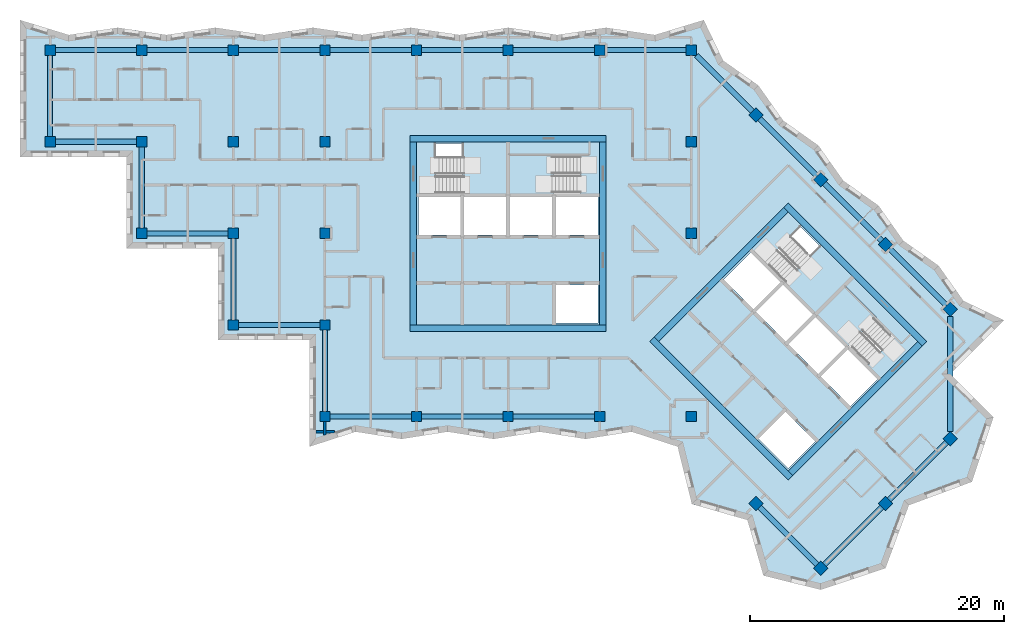
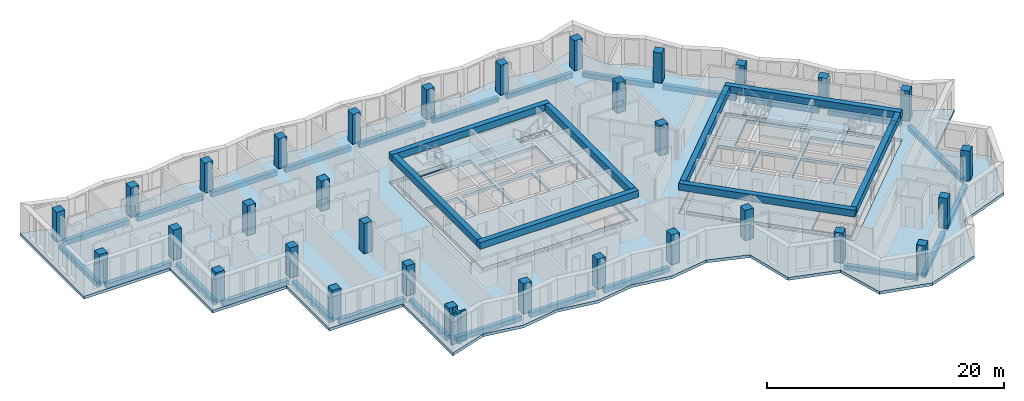
# One storey, part 1 of 13: 33 beams, 32 columns, 7 slabs, 2 walls, 16 openings, 4 elements without a shape of their own.
"""IFC4 building model written with IfcOpenShell, lengths in metres."""

from ifc_helpers import new_model, si_unit, direction, frame, frame_2d, origin, origin_2d, place, context, subcontext, project, spatial, polyline, rectangle, outline, extrude, material, layer, layer_set, material_profile, profile_set, type_object, element, aggregate, save


model = new_model("IFC4")

# Units and contexts
model_context = context("Model", 3, precision=1e-05, world=origin(), true_north=direction((0.0, 1.0)))
body_context = subcontext(model_context, "Body", "Model", "MODEL_VIEW")
ifc_project = project(units=[si_unit("LENGTHUNIT", "METRE"), si_unit("AREAUNIT", "SQUARE_METRE"), si_unit("VOLUMEUNIT", "CUBIC_METRE"), si_unit("PLANEANGLEUNIT", "RADIAN"), si_unit("MASSUNIT", "GRAM", prefix="KILO")], contexts=[model_context])

# Site, building, storey
site_placement = place(None, origin())
site = spatial("IfcSite", under=ifc_project, at=site_placement, CompositionType="ELEMENT")
building_placement = place(site_placement, origin())
building = spatial("IfcBuilding", under=site, at=building_placement, Name="Windrow Commons", CompositionType="ELEMENT")
storey_placement = place(building_placement, frame((0.0, 0.0, 220.2)))
storey = spatial("IfcBuildingStorey", under=building, at=storey_placement, Name="L60", CompositionType="ELEMENT", Elevation=220.2)

# Columns
ifc_material_1 = material(Name="Concrete C50/60", Category="concrete")
ifc_material_profile_1 = material_profile(ifc_material_1, rectangle(XDim=0.8, YDim=0.8, at=origin_2d()))
ifc_profile_set_1 = profile_set([ifc_material_profile_1], Name="Concrete C50/60")
column_type = type_object("IfcColumnType", Name="RC COLUMN 800x800 C50/60", PredefinedType="COLUMN", material=ifc_profile_set_1)
for number, where, z_axis, x_axis, name in (
    (1, (28.8, 64.8, 0.0), (0.0, 0.0, 1.0), (1.0, 0.0, 0.0), "C-Z4-05I"),
    (2, (28.8, 72.0, 0.0), (0.0, 0.0, 1.0), (1.0, 0.0, 0.0), "C-Z4-05J"),
    (3, (36.0, 57.6, 0.0), (0.0, 0.0, 1.0), (1.0, 0.0, 0.0), "C-Z4-06H"),
    (4, (36.0, 64.8, 0.0), (0.0, 0.0, 1.0), (1.0, 0.0, 0.0), "C-Z4-06I"),
    (5, (36.0, 72.0, 0.0), (0.0, 0.0, 1.0), (1.0, 0.0, 0.0), "C-Z4-06J"),
    (6, (43.2, 50.4, 0.0), (0.0, 0.0, 1.0), (1.0, 0.0, 0.0), "C-Z4-07G"),
    (7, (43.2, 57.6, 0.0), (0.0, 0.0, 1.0), (1.0, 0.0, 0.0), "C-Z4-07H"),
    (8, (43.2, 64.8, 0.0), (0.0, 0.0, 1.0), (1.0, 0.0, 0.0), "C-Z4-07I"),
    (9, (43.2, 72.0, 0.0), (0.0, 0.0, 1.0), (1.0, 0.0, 0.0), "C-Z4-07J"),
    (10, (50.4, 43.2, 0.0), (0.0, 0.0, 1.0), (1.0, 0.0, 0.0), "C-Z4-08F"),
    (11, (50.4, 50.4, 0.0), (0.0, 0.0, 1.0), (1.0, 0.0, 0.0), "C-Z4-08G"),
    (12, (50.4, 57.6, 0.0), (0.0, 0.0, 1.0), (1.0, 0.0, 0.0), "C-Z4-08H"),
    (13, (50.4, 64.8, 0.0), (0.0, 0.0, 1.0), (1.0, 0.0, 0.0), "C-Z4-08I"),
    (14, (50.4, 72.0, 0.0), (0.0, 0.0, 1.0), (1.0, 0.0, 0.0), "C-Z4-08J"),
    (15, (57.6, 43.2, 0.0), (0.0, 0.0, 1.0), (1.0, 0.0, 0.0), "C-Z4-09F"),
    (16, (57.6, 72.0, 0.0), (0.0, 0.0, 1.0), (1.0, 0.0, 0.0), "C-Z4-09J"),
    (17, (64.8, 43.2, 0.0), (0.0, 0.0, 1.0), (1.0, 0.0, 0.0), "C-Z4-10F"),
    (18, (64.8, 72.0, 0.0), (0.0, 0.0, 1.0), (1.0, 0.0, 0.0), "C-Z4-10J"),
    (19, (72.0, 43.2, 0.0), (0.0, 0.0, 1.0), (1.0, 0.0, 0.0), "C-Z4-11F"),
    (20, (72.0, 72.0, 0.0), (0.0, 0.0, 1.0), (1.0, 0.0, 0.0), "C-Z4-11J"),
    (21, (79.2, 43.2, 0.0), (0.0, 0.0, 1.0), (1.0, 0.0, 0.0), "C-Z4-12F"),
    (22, (79.2, 57.6, 0.0), (0.0, 0.0, 1.0), (1.0, 0.0, 0.0), "C-Z4-12H"),
    (23, (79.2, 64.8, 0.0), (0.0, 0.0, 1.0), (1.0, 0.0, 0.0), "C-Z4-12I"),
    (24, (79.2, 72.0, 0.0), (0.0, 0.0, 1.0), (1.0, 0.0, 0.0), "C-Z4-12J"),
    (25, (84.2912, 66.9088, 0.0), (0.0, 0.0, 1.0), (0.7071067812, -0.7071067812, 0.0), "C-Z4-P2Q"),
    (26, (89.3823, 61.8177, 0.0), (0.0, 0.0, 1.0), (0.7071067812, -0.7071067812, 0.0), "C-Z4-P3Q"),
    (27, (94.4735, 56.7265, 0.0), (0.0, 0.0, 1.0), (0.7071067812, -0.7071067812, 0.0), "C-Z4-P4Q"),
    (28, (99.5647, 51.6353, 0.0), (0.0, 0.0, 1.0), (0.7071067812, -0.7071067812, 0.0), "C-Z4-P5Q"),
    (29, (84.2912, 36.3618, 0.0), (0.0, 0.0, 1.0), (0.7071067812, -0.7071067812, 0.0), "C-Z4-P5T"),
    (30, (99.5647, 41.453, 0.0), (0.0, 0.0, 1.0), (0.7071067812, -0.7071067812, 0.0), "C-Z4-P6R"),
    (31, (94.4735, 36.3618, 0.0), (0.0, 0.0, 1.0), (0.7071067812, -0.7071067812, 0.0), "C-Z4-P6S"),
    (32, (89.3823, 31.2706, 0.0), (0.0, 0.0, 1.0), (0.7071067812, -0.7071067812, 0.0), "C-Z4-P6T"),
):
    element("IfcColumn", number, at=place(storey_placement, frame(where, z_axis=z_axis, x_axis=x_axis)), inside=storey, type_object=column_type, Name=name, PredefinedType="COLUMN", context=body_context, shape_type="SweptSolid", body=[
        extrude(rectangle(XDim=0.8, YDim=0.8, at=origin_2d()), origin(), (0.0, 0.0, 1.0), 3.1),
    ])

# Beams
ifc_material_2 = material(Name="Concrete C40/50", Category="concrete")
ifc_material_profile_2 = material_profile(ifc_material_2, rectangle(XDim=0.5, YDim=0.7, at=origin_2d()))
ifc_profile_set_2 = profile_set([ifc_material_profile_2], Name="Concrete C40/50")
beam_type_1 = type_object("IfcBeamType", Name="RC COUPLING BEAM 500x700 C40/50", PredefinedType="LINTEL", material=ifc_profile_set_2)
for number, where, z_axis, x_axis, name in (
    (33, (57.1, 50.15, 2.75), (1.0, 0.0, 0.0), (0.0, 1.0, 0.0), "Core A coupling beam outer-S"),
    (34, (57.1, 65.05, 2.75), (1.0, 0.0, 0.0), (0.0, 1.0, 0.0), "Core A coupling beam outer-N"),
):
    element("IfcBeam", number, at=place(storey_placement, frame(where, z_axis=z_axis, x_axis=x_axis)), inside=storey, type_object=beam_type_1, Name=name, PredefinedType="LINTEL", context=body_context, shape_type="SweptSolid", body=[
        extrude(rectangle(XDim=0.5, YDim=0.7, at=origin_2d()), origin(), (0.0, 0.0, 1.0), 15.4),
    ])
for number, where, z_axis, x_axis, name in (
    (35, (57.35, 50.4, 2.75), (0.0, 1.0, 0.0), (-1.0, 0.0, 0.0), "Core A coupling beam outer-W"),
    (36, (72.25, 50.4, 2.75), (0.0, 1.0, 0.0), (-1.0, 0.0, 0.0), "Core A coupling beam outer-E"),
):
    element("IfcBeam", number, at=place(storey_placement, frame(where, z_axis=z_axis, x_axis=x_axis)), inside=storey, type_object=beam_type_1, Name=name, PredefinedType="LINTEL", context=body_context, shape_type="SweptSolid", body=[
        extrude(rectangle(XDim=0.5, YDim=0.7, at=origin_2d()), origin(), (0.0, 0.0, 1.0), 14.4),
    ])
for number, where, z_axis, x_axis, name in (
    (37, (76.1241, 49.2665, 2.75), (0.7071067812, -0.7071067812, 0.0), (0.7071067812, 0.7071067812, 0.0), "Core B coupling beam outer-S"),
    (38, (86.66, 59.8024, 2.75), (0.7071067812, -0.7071067812, 0.0), (0.7071067812, 0.7071067812, 0.0), "Core B coupling beam outer-N"),
):
    element("IfcBeam", number, at=place(storey_placement, frame(where, z_axis=z_axis, x_axis=x_axis)), inside=storey, type_object=beam_type_1, Name=name, PredefinedType="LINTEL", context=body_context, shape_type="SweptSolid", body=[
        extrude(rectangle(XDim=0.5, YDim=0.7, at=origin_2d()), origin(), (0.0, 0.0, 1.0), 15.3999),
    ])
for number, where, z_axis, x_axis, name in (
    (39, (76.4776, 49.2665, 2.75), (0.7071067812, 0.7071067812, 0.0), (-0.7071067812, 0.7071067812, 0.0), "Core B coupling beam outer-W"),
    (40, (87.0135, 38.7306, 2.75), (0.7071067812, 0.7071067812, 0.0), (-0.7071067812, 0.7071067812, 0.0), "Core B coupling beam outer-E"),
):
    element("IfcBeam", number, at=place(storey_placement, frame(where, z_axis=z_axis, x_axis=x_axis)), inside=storey, type_object=beam_type_1, Name=name, PredefinedType="LINTEL", context=body_context, shape_type="SweptSolid", body=[
        extrude(rectangle(XDim=0.5, YDim=0.7, at=origin_2d()), origin(), (0.0, 0.0, 1.0), 14.4001),
    ])
ifc_material_3 = material(Name="Concrete C40/50", Category="concrete")
ifc_material_profile_3 = material_profile(ifc_material_3, rectangle(XDim=0.4, YDim=0.5, at=origin_2d()))
ifc_profile_set_3 = profile_set([ifc_material_profile_3], Name="Concrete C40/50")
beam_type_2 = type_object("IfcBeamType", Name="RC EDGE BEAM 400x500 C40/50", PredefinedType="SPANDREL", material=ifc_profile_set_3)
for number, where, z_axis, x_axis, name in (
    (41, (57.2, 43.2, -0.55), (-1.0, 0.0, 0.0), (0.0, -1.0, 0.0), "Edge beam L60 001"),
    (42, (50.4, 43.6, -0.55), (0.0, 1.0, 0.0), (-1.0, 0.0, 0.0), "Edge beam L60 002"),
    (43, (50.0, 50.4, -0.55), (-1.0, 0.0, 0.0), (0.0, -1.0, 0.0), "Edge beam L60 003"),
    (44, (43.2, 50.8, -0.55), (0.0, 1.0, 0.0), (-1.0, 0.0, 0.0), "Edge beam L60 004"),
    (45, (42.8, 57.6, -0.55), (-1.0, 0.0, 0.0), (0.0, -1.0, 0.0), "Edge beam L60 005"),
    (46, (36.0, 58.0, -0.55), (0.0, 1.0, 0.0), (-1.0, 0.0, 0.0), "Edge beam L60 006"),
    (47, (35.6, 64.8, -0.55), (-1.0, 0.0, 0.0), (0.0, -1.0, 0.0), "Edge beam L60 007"),
    (48, (28.8, 65.2, -0.55), (0.0, 1.0, 0.0), (-1.0, 0.0, 0.0), "Edge beam L60 008"),
    (49, (29.2, 72.0, -0.55), (1.0, 0.0, 0.0), (0.0, 1.0, 0.0), "Edge beam L60 009"),
    (50, (36.4, 72.0, -0.55), (1.0, 0.0, 0.0), (0.0, 1.0, 0.0), "Edge beam L60 010"),
    (51, (43.6, 72.0, -0.55), (1.0, 0.0, 0.0), (0.0, 1.0, 0.0), "Edge beam L60 011"),
    (52, (50.8, 72.0, -0.55), (1.0, 0.0, 0.0), (0.0, 1.0, 0.0), "Edge beam L60 012"),
    (53, (58.0, 72.0, -0.55), (1.0, 0.0, 0.0), (0.0, 1.0, 0.0), "Edge beam L60 013"),
    (54, (65.2, 72.0, -0.55), (1.0, 0.0, 0.0), (0.0, 1.0, 0.0), "Edge beam L60 014"),
    (55, (72.4, 72.0, -0.55), (1.0, 0.0, 0.0), (0.0, 1.0, 0.0), "Edge beam L60 015"),
):
    element("IfcBeam", number, at=place(storey_placement, frame(where, z_axis=z_axis, x_axis=x_axis)), inside=storey, type_object=beam_type_2, Name=name, PredefinedType="SPANDREL", context=body_context, shape_type="SweptSolid", body=[
        extrude(rectangle(XDim=0.4, YDim=0.5, at=origin_2d()), origin(), (0.0, 0.0, 1.0), 6.4),
    ])
beam_1_placement = place(storey_placement, frame((79.6, 71.6, -0.55), z_axis=(0.7071067812, -0.7071067812, 0.0), x_axis=(0.7071067812, 0.7071067812, 0.0)))
element("IfcBeam", 56, at=beam_1_placement, inside=storey, type_object=beam_type_2, Name="Edge beam L60 016", PredefinedType="SPANDREL", context=body_context, shape_type="SweptSolid", body=[
    extrude(rectangle(XDim=0.4, YDim=0.5, at=origin_2d()), origin(), (0.0, 0.0, 1.0), 6.2344),
])
beam_2_placement = place(storey_placement, frame((84.574, 66.626, -0.55), z_axis=(0.7071067812, -0.7071067812, 0.0), x_axis=(0.7071067812, 0.7071067812, 0.0)))
element("IfcBeam", 57, at=beam_2_placement, inside=storey, type_object=beam_type_2, Name="Edge beam L60 017", PredefinedType="SPANDREL", context=body_context, shape_type="SweptSolid", body=[
    extrude(rectangle(XDim=0.4, YDim=0.5, at=origin_2d()), origin(), (0.0, 0.0, 1.0), 6.4),
])
for number, where, z_axis, x_axis, name in (
    (58, (89.6651, 61.5349, -0.55), (0.7071067812, -0.7071067812, 0.0), (0.7071067812, 0.7071067812, 0.0), "Edge beam L60 018"),
    (59, (94.7563, 56.4437, -0.55), (0.7071067812, -0.7071067812, 0.0), (0.7071067812, 0.7071067812, 0.0), "Edge beam L60 019"),
):
    element("IfcBeam", number, at=place(storey_placement, frame(where, z_axis=z_axis, x_axis=x_axis)), inside=storey, type_object=beam_type_2, Name=name, PredefinedType="SPANDREL", context=body_context, shape_type="SweptSolid", body=[
        extrude(rectangle(XDim=0.4, YDim=0.5, at=origin_2d()), origin(), (0.0, 0.0, 1.0), 6.4002),
    ])
beam_3_placement = place(storey_placement, frame((99.5647, 51.0696, -0.55), z_axis=(0.0, -1.0, 0.0), x_axis=(1.0, 0.0, 0.0)))
element("IfcBeam", 60, at=beam_3_placement, inside=storey, type_object=beam_type_2, Name="Edge beam L60 020", PredefinedType="SPANDREL", context=body_context, shape_type="SweptSolid", body=[
    extrude(rectangle(XDim=0.4, YDim=0.5, at=origin_2d()), origin(), (0.0, 0.0, 1.0), 9.0509),
])
for number, where, z_axis, x_axis, name in (
    (61, (99.2819, 41.1702, -0.55), (-0.7071067812, -0.7071067812, 0.0), (0.7071067812, -0.7071067812, 0.0), "Edge beam L60 021"),
    (62, (94.1907, 36.079, -0.55), (-0.7071067812, -0.7071067812, 0.0), (0.7071067812, -0.7071067812, 0.0), "Edge beam L60 022"),
):
    element("IfcBeam", number, at=place(storey_placement, frame(where, z_axis=z_axis, x_axis=x_axis)), inside=storey, type_object=beam_type_2, Name=name, PredefinedType="SPANDREL", context=body_context, shape_type="SweptSolid", body=[
        extrude(rectangle(XDim=0.4, YDim=0.5, at=origin_2d()), origin(), (0.0, 0.0, 1.0), 6.4002),
    ])
beam_4_placement = place(storey_placement, frame((89.0995, 31.5534, -0.55), z_axis=(-0.7070989688, 0.7071145935, 0.0), x_axis=(-0.7071145935, -0.7070989688, 0.0)))
element("IfcBeam", 63, at=beam_4_placement, inside=storey, type_object=beam_type_2, Name="Edge beam L60 023", PredefinedType="SPANDREL", context=body_context, shape_type="SweptSolid", body=[
    extrude(rectangle(XDim=0.4, YDim=0.5, at=origin_2d()), origin(), (0.0, 0.0, 1.0), 6.4001),
])
for number, where, z_axis, x_axis, name in (
    (64, (71.6, 43.2, -0.55), (-1.0, 0.0, 0.0), (0.0, -1.0, 0.0), "Edge beam L60 024"),
    (65, (64.4, 43.2, -0.55), (-1.0, 0.0, 0.0), (0.0, -1.0, 0.0), "Edge beam L60 025"),
):
    element("IfcBeam", number, at=place(storey_placement, frame(where, z_axis=z_axis, x_axis=x_axis)), inside=storey, type_object=beam_type_2, Name=name, PredefinedType="SPANDREL", context=body_context, shape_type="SweptSolid", body=[
        extrude(rectangle(XDim=0.4, YDim=0.5, at=origin_2d()), origin(), (0.0, 0.0, 1.0), 6.4),
    ])

# Slab, openings
ifc_material_4 = material(Name="Concrete C40/50", Category="concrete")
ifc_layer_1 = layer(ifc_material_4, 0.3)
ifc_layer_set_1 = layer_set([ifc_layer_1], Name="CORE FLOOR SLAB 300 C40/50")
slab_type_1 = type_object("IfcSlabType", Name="CORE FLOOR SLAB 300 C40/50", PredefinedType="FLOOR", material=ifc_layer_set_1)
placement_1 = place(storey_placement, frame((0.0, 0.0, -0.3)))
slab_1 = element("IfcSlab", 66, at=placement_1, inside=storey, type_object=slab_type_1, Name="S-L60-core-A", PredefinedType="FLOOR", context=body_context, shape_type="SweptSolid", body=[
    extrude(outline(polyline([(57.6, 50.4), (72.0, 50.4), (72.0, 64.8), (57.6, 64.8), (57.6, 50.4)]), holes=[polyline([(68.55, 50.55), (71.85, 50.55), (71.85, 53.55), (68.55, 53.55), (68.55, 50.55)]), polyline([(57.75, 57.45), (61.05, 57.45), (61.05, 60.45), (57.75, 60.45), (57.75, 57.45)]), polyline([(61.35, 57.45), (64.65, 57.45), (64.65, 60.45), (61.35, 60.45), (61.35, 57.45)]), polyline([(64.95, 57.45), (68.25, 57.45), (68.25, 60.45), (64.95, 60.45), (64.95, 57.45)]), polyline([(68.55, 57.45), (71.85, 57.45), (71.85, 60.45), (68.55, 60.45), (68.55, 57.45)]), polyline([(59.1, 60.75), (64.65, 60.75), (64.65, 64.65), (59.1, 64.65), (59.1, 60.75)]), polyline([(64.95, 60.75), (70.5, 60.75), (70.5, 63.705), (64.95, 63.705), (64.95, 60.75)])]), origin(), (0.0, 0.0, 1.0), 0.3),
])
opening_1_placement = place(placement_1, origin())
element("IfcOpeningElement", 67, at=opening_1_placement, cuts=slab_1, Name="Slab opening S-L60-core-A 1", PredefinedType="OPENING", context=body_context, shape_type="SweptSolid", body=[
    extrude(outline(polyline([(68.555, 50.555), (68.555, 53.545), (71.845, 53.545), (71.845, 50.555), (68.555, 50.555)])), origin(), (0.0, 0.0, 1.0), 0.3),
])
opening_2_placement = place(placement_1, origin())
element("IfcOpeningElement", 68, at=opening_2_placement, cuts=slab_1, Name="Slab opening S-L60-core-A 2", PredefinedType="OPENING", context=body_context, shape_type="SweptSolid", body=[
    extrude(outline(polyline([(57.755, 57.455), (57.755, 60.445), (61.045, 60.445), (61.045, 57.455), (57.755, 57.455)])), origin(), (0.0, 0.0, 1.0), 0.3),
])
opening_3_placement = place(placement_1, origin())
element("IfcOpeningElement", 69, at=opening_3_placement, cuts=slab_1, Name="Slab opening S-L60-core-A 3", PredefinedType="OPENING", context=body_context, shape_type="SweptSolid", body=[
    extrude(outline(polyline([(61.355, 57.455), (61.355, 60.445), (64.645, 60.445), (64.645, 57.455), (61.355, 57.455)])), origin(), (0.0, 0.0, 1.0), 0.3),
])
opening_4_placement = place(placement_1, origin())
element("IfcOpeningElement", 70, at=opening_4_placement, cuts=slab_1, Name="Slab opening S-L60-core-A 4", PredefinedType="OPENING", context=body_context, shape_type="SweptSolid", body=[
    extrude(outline(polyline([(64.955, 57.455), (64.955, 60.445), (68.245, 60.445), (68.245, 57.455), (64.955, 57.455)])), origin(), (0.0, 0.0, 1.0), 0.3),
])
opening_5_placement = place(placement_1, origin())
element("IfcOpeningElement", 71, at=opening_5_placement, cuts=slab_1, Name="Slab opening S-L60-core-A 5", PredefinedType="OPENING", context=body_context, shape_type="SweptSolid", body=[
    extrude(outline(polyline([(68.555, 57.455), (68.555, 60.445), (71.845, 60.445), (71.845, 57.455), (68.555, 57.455)])), origin(), (0.0, 0.0, 1.0), 0.3),
])
opening_6_placement = place(placement_1, origin())
element("IfcOpeningElement", 72, at=opening_6_placement, cuts=slab_1, Name="Slab opening S-L60-core-A 6", PredefinedType="OPENING", context=body_context, shape_type="SweptSolid", body=[
    extrude(outline(polyline([(59.105, 60.755), (59.105, 64.645), (64.645, 64.645), (64.645, 60.755), (59.105, 60.755)])), origin(), (0.0, 0.0, 1.0), 0.3),
])
opening_7_placement = place(placement_1, origin())
element("IfcOpeningElement", 73, at=opening_7_placement, cuts=slab_1, Name="Slab opening S-L60-core-A 7", PredefinedType="OPENING", context=body_context, shape_type="SweptSolid", body=[
    extrude(outline(polyline([(64.955, 60.755), (64.955, 63.7), (70.495, 63.7), (70.495, 60.755), (64.955, 60.755)])), origin(), (0.0, 0.0, 1.0), 0.3),
])

slab_2 = element("IfcSlab", 74, at=placement_1, inside=storey, type_object=slab_type_1, Name="S-L60-core-B", PredefinedType="FLOOR", context=body_context, shape_type="SweptSolid", body=[
    extrude(outline(polyline([(76.6544, 49.0897), (86.8368, 38.9074), (97.0191, 49.0897), (86.8368, 59.2721), (76.6544, 49.0897)]), holes=[polyline([(84.5033, 41.453), (86.8368, 39.1195), (88.9581, 41.2409), (86.6246, 43.5743), (84.5033, 41.453)]), polyline([(81.7456, 53.9688), (84.079, 51.6353), (86.2004, 53.7566), (83.8669, 56.0901), (81.7456, 53.9688)]), polyline([(84.2912, 51.4232), (86.6246, 49.0897), (88.7459, 51.2111), (86.4125, 53.5445), (84.2912, 51.4232)]), polyline([(86.8368, 48.8776), (89.1702, 46.5442), (91.2915, 48.6655), (88.9581, 50.9989), (86.8368, 48.8776)]), polyline([(89.3823, 46.332), (91.7158, 43.9986), (93.8371, 46.1199), (91.5037, 48.4533), (89.3823, 46.332)]), polyline([(85.0336, 55.3476), (88.9581, 51.4232), (91.7158, 54.1809), (87.7913, 58.1054), (85.0336, 55.3476)]), polyline([(89.1702, 51.2111), (93.0946, 47.2866), (95.1841, 49.3761), (91.2597, 53.3006), (89.1702, 51.2111)])]), origin(), (0.0, 0.0, 1.0), 0.3),
])
opening_8_placement = place(placement_1, origin())
element("IfcOpeningElement", 75, at=opening_8_placement, cuts=slab_2, Name="Slab opening S-L60-core-B 1", PredefinedType="OPENING", context=body_context, shape_type="SweptSolid", body=[
    extrude(outline(polyline([(84.5104, 41.453), (86.6246, 43.5672), (88.951, 41.2409), (86.8368, 39.1266), (84.5104, 41.453)])), origin(), (0.0, 0.0, 1.0), 0.3),
])
opening_9_placement = place(placement_1, origin())
element("IfcOpeningElement", 76, at=opening_9_placement, cuts=slab_2, Name="Slab opening S-L60-core-B 2", PredefinedType="OPENING", context=body_context, shape_type="SweptSolid", body=[
    extrude(outline(polyline([(81.7527, 53.9688), (83.8669, 56.083), (86.1933, 53.7566), (84.079, 51.6424), (81.7527, 53.9688)])), origin(), (0.0, 0.0, 1.0), 0.3),
])
opening_10_placement = place(placement_1, origin())
element("IfcOpeningElement", 77, at=opening_10_placement, cuts=slab_2, Name="Slab opening S-L60-core-B 3", PredefinedType="OPENING", context=body_context, shape_type="SweptSolid", body=[
    extrude(outline(polyline([(84.2983, 51.4232), (86.4125, 53.5374), (88.7388, 51.2111), (86.6246, 49.0968), (84.2983, 51.4232)])), origin(), (0.0, 0.0, 1.0), 0.3),
])
opening_11_placement = place(placement_1, origin())
element("IfcOpeningElement", 78, at=opening_11_placement, cuts=slab_2, Name="Slab opening S-L60-core-B 4", PredefinedType="OPENING", context=body_context, shape_type="SweptSolid", body=[
    extrude(outline(polyline([(86.8439, 48.8776), (88.9581, 50.9918), (91.2844, 48.6655), (89.1702, 46.5513), (86.8439, 48.8776)])), origin(), (0.0, 0.0, 1.0), 0.3),
])
opening_12_placement = place(placement_1, origin())
element("IfcOpeningElement", 79, at=opening_12_placement, cuts=slab_2, Name="Slab opening S-L60-core-B 5", PredefinedType="OPENING", context=body_context, shape_type="SweptSolid", body=[
    extrude(outline(polyline([(89.3894, 46.332), (91.5037, 48.4462), (93.83, 46.1199), (91.7158, 44.0057), (89.3894, 46.332)])), origin(), (0.0, 0.0, 1.0), 0.3),
])
opening_13_placement = place(placement_1, origin())
element("IfcOpeningElement", 80, at=opening_13_placement, cuts=slab_2, Name="Slab opening S-L60-core-B 6", PredefinedType="OPENING", context=body_context, shape_type="SweptSolid", body=[
    extrude(outline(polyline([(85.0407, 55.3476), (87.7913, 58.0983), (91.7087, 54.1809), (88.9581, 51.4303), (85.0407, 55.3476)])), origin(), (0.0, 0.0, 1.0), 0.3),
])
opening_14_placement = place(placement_1, origin())
element("IfcOpeningElement", 81, at=opening_14_placement, cuts=slab_2, Name="Slab opening S-L60-core-B 7", PredefinedType="OPENING", context=body_context, shape_type="SweptSolid", body=[
    extrude(outline(polyline([(89.1773, 51.2111), (91.2597, 53.2935), (95.177, 49.3761), (93.0946, 47.2937), (89.1773, 51.2111)])), origin(), (0.0, 0.0, 1.0), 0.3),
])

# Stair, slab
ifc_material_5 = material(Name="Concrete C40/50", Category="concrete")
stair_type = type_object("IfcStairType", Name="Core stair", PredefinedType="HALF_TURN_STAIR", material=ifc_material_5)
placement_2 = place(storey_placement, origin())
stair_1 = element("IfcStair", 82, at=placement_2, inside=storey, type_object=stair_type, Name="L60 Exit stair A1 core A", PredefinedType="HALF_TURN_STAIR")
ifc_material_6 = material(Name="Concrete C40/50", Category="concrete")
ifc_layer_2 = layer(ifc_material_6, 0.2)
ifc_layer_set_2 = layer_set([ifc_layer_2], Name="Core stair landing")
slab_type_2 = type_object("IfcSlabType", Name="Core stair landing", PredefinedType="LANDING", material=ifc_layer_set_2)
placement_3 = place(storey_placement, frame((0.0, 0.0, 1.5)))
slab_3 = element("IfcSlab", 83, at=placement_3, type_object=slab_type_2, Name="ST-A1 landing 1", PredefinedType="LANDING", context=body_context, shape_type="SweptSolid", body=[
    extrude(outline(polyline([(61.22, 60.5), (64.8, 60.5), (64.8, 64.9), (61.22, 64.9), (61.22, 60.5)])), origin(), (0.0, 0.0, 1.0), 0.2),
])
aggregate(stair_1, [slab_3])

stair_2 = element("IfcStair", 84, at=placement_2, inside=storey, type_object=stair_type, Name="L60 Exit stair A2 core A", PredefinedType="HALF_TURN_STAIR")
slab_4 = element("IfcSlab", 85, at=placement_3, type_object=slab_type_2, Name="ST-A2 landing 1", PredefinedType="LANDING", context=body_context, shape_type="SweptSolid", body=[
    extrude(outline(polyline([(64.8, 60.5), (68.38, 60.5), (68.38, 63.855), (64.8, 63.855), (64.8, 60.5)])), origin(), (0.0, 0.0, 1.0), 0.2),
])
aggregate(stair_2, [slab_4])

stair_3 = element("IfcStair", 86, at=placement_2, inside=storey, type_object=stair_type, Name="L60 Exit stair B1 core B", PredefinedType="HALF_TURN_STAIR")
slab_5 = element("IfcSlab", 87, at=placement_3, type_object=slab_type_2, Name="ST-B1 landing 1", PredefinedType="LANDING", context=body_context, shape_type="SweptSolid", body=[
    extrude(outline(polyline([(86.3559, 53.6718), (88.8874, 51.1403), (91.9986, 54.2516), (89.4672, 56.7831), (86.3559, 53.6718)])), origin(), (0.0, 0.0, 1.0), 0.2),
])
aggregate(stair_3, [slab_5])

stair_4 = element("IfcStair", 88, at=placement_2, inside=storey, type_object=stair_type, Name="L60 Exit stair B2 core B", PredefinedType="HALF_TURN_STAIR")
slab_6 = element("IfcSlab", 89, at=placement_3, type_object=slab_type_2, Name="ST-B2 landing 1", PredefinedType="LANDING", context=body_context, shape_type="SweptSolid", body=[
    extrude(outline(polyline([(88.8874, 51.1403), (91.4188, 48.6089), (93.7911, 50.9812), (91.2597, 53.5127), (88.8874, 51.1403)])), origin(), (0.0, 0.0, 1.0), 0.2),
])
aggregate(stair_4, [slab_6])

# Slab, openings
ifc_material_7 = material(Name="Concrete C40/50", Category="concrete")
ifc_layer_3 = layer(ifc_material_7, 0.3)
ifc_layer_set_3 = layer_set([ifc_layer_3], Name="FLOOR SLAB 300 C40/50")
slab_type_3 = type_object("IfcSlabType", Name="FLOOR SLAB 300 C40/50", PredefinedType="FLOOR", material=ifc_layer_set_3)
slab_7 = element("IfcSlab", 90, at=placement_1, inside=storey, type_object=slab_type_3, Name="S-L60-floor", PredefinedType="FLOOR", context=body_context, shape_type="SweptSolid", body=[
    extrude(outline(polyline([(84.8716, 30.6901), (89.3823, 29.5736), (94.4735, 31.2706), (96.312, 36.2204), (101.2617, 38.0588), (102.9588, 43.15), (99.5647, 46.5442), (103.7875, 50.767), (100.5983, 52.2988), (98.6423, 55.0638), (95.8773, 57.0198), (93.9213, 59.7848), (91.1563, 61.7408), (89.2003, 64.5057), (86.4353, 66.4618), (84.4793, 69.2267), (81.7143, 71.1828), (80.1826, 74.372), (76.3429, 73.2), (72.5033, 73.772), (68.6637, 73.2), (64.8241, 73.772), (60.9845, 73.2), (57.1449, 73.772), (53.3053, 73.2), (49.4657, 73.772), (45.6261, 73.2), (41.7864, 73.772), (37.9468, 73.2), (34.1072, 73.772), (30.2676, 73.2), (26.428, 74.372), (26.428, 63.6), (34.8, 63.6), (34.8, 56.4), (42.0, 56.4), (42.0, 49.2), (49.2, 49.2), (49.2, 40.828), (52.816, 42.0), (56.432, 41.428), (60.048, 42.0), (63.6639, 41.428), (67.2799, 42.0), (70.8959, 41.428), (74.5119, 42.0), (78.1279, 40.828), (79.2444, 36.3173), (83.6137, 35.0594), (84.8716, 30.6901)]), holes=[polyline([(75.9473, 49.0897), (86.8368, 59.9792), (97.7262, 49.0897), (86.8368, 38.2003), (75.9473, 49.0897)]), polyline([(57.1, 49.9), (57.1, 65.3), (72.5, 65.3), (72.5, 49.9), (57.1, 49.9)])]), origin(), (0.0, 0.0, 1.0), 0.3),
])
opening_15_placement = place(placement_1, origin())
element("IfcOpeningElement", 91, at=opening_15_placement, cuts=slab_7, Name="Slab opening S-L60-floor 1", PredefinedType="OPENING", context=body_context, shape_type="SweptSolid", body=[
    extrude(outline(polyline([(75.9544, 49.0897), (86.8368, 59.9721), (97.7191, 49.0897), (86.8368, 38.2074), (75.9544, 49.0897)])), origin(), (0.0, 0.0, 1.0), 0.3),
])
opening_16_placement = place(placement_1, origin())
element("IfcOpeningElement", 92, at=opening_16_placement, cuts=slab_7, Name="Slab opening S-L60-floor 2", PredefinedType="OPENING", context=body_context, shape_type="SweptSolid", body=[
    extrude(outline(polyline([(57.105, 49.905), (57.105, 65.295), (72.495, 65.295), (72.495, 49.905), (57.105, 49.905)])), origin(), (0.0, 0.0, 1.0), 0.3),
])

# Walls
ifc_material_8 = material(Name="Blockwork partition", Category="masonry")
ifc_layer_4 = layer(ifc_material_8, 0.2)
ifc_layer_set_4 = layer_set([ifc_layer_4], Name="IW-PARTY-200")
wall_type = type_object("IfcWallType", Name="IW-PARTY-200", PredefinedType="PARTITIONING", material=ifc_layer_set_4)
wall_1_placement = place(storey_placement, frame((49.7, 42.0, 0.0), z_axis=(0.0, 0.0, 1.0), x_axis=(1.0, 0.0, 0.0)))
element("IfcWall", 93, at=wall_1_placement, inside=storey, type_object=wall_type, Name="W-L60-W132", PredefinedType="PARTITIONING", context=body_context, shape_type="SweptSolid", body=[
    extrude(rectangle(XDim=1.4443, YDim=0.2, at=frame_2d((0.7221, 0.0))), origin(), (0.0, 0.0, 1.0), 3.1),
])
wall_2_placement = place(storey_placement, frame((50.4, 41.7425, 0.0), z_axis=(0.0, 0.0, 1.0), x_axis=(0.0, 1.0, 0.0)))
element("IfcWall", 94, at=wall_2_placement, inside=storey, type_object=wall_type, Name="W-L60-W148", PredefinedType="PARTITIONING", context=body_context, shape_type="SweptSolid", body=[
    extrude(rectangle(XDim=1.0575, YDim=0.2, at=frame_2d((0.5288, 0.0))), origin(), (0.0, 0.0, 1.0), 3.1),
])

save(model, "model.ifc")
